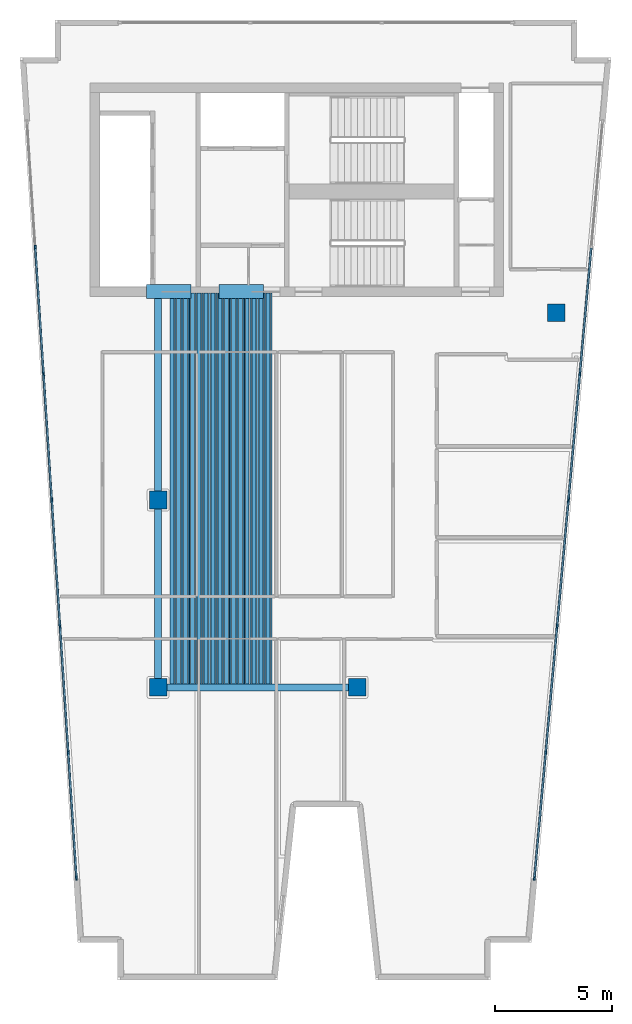
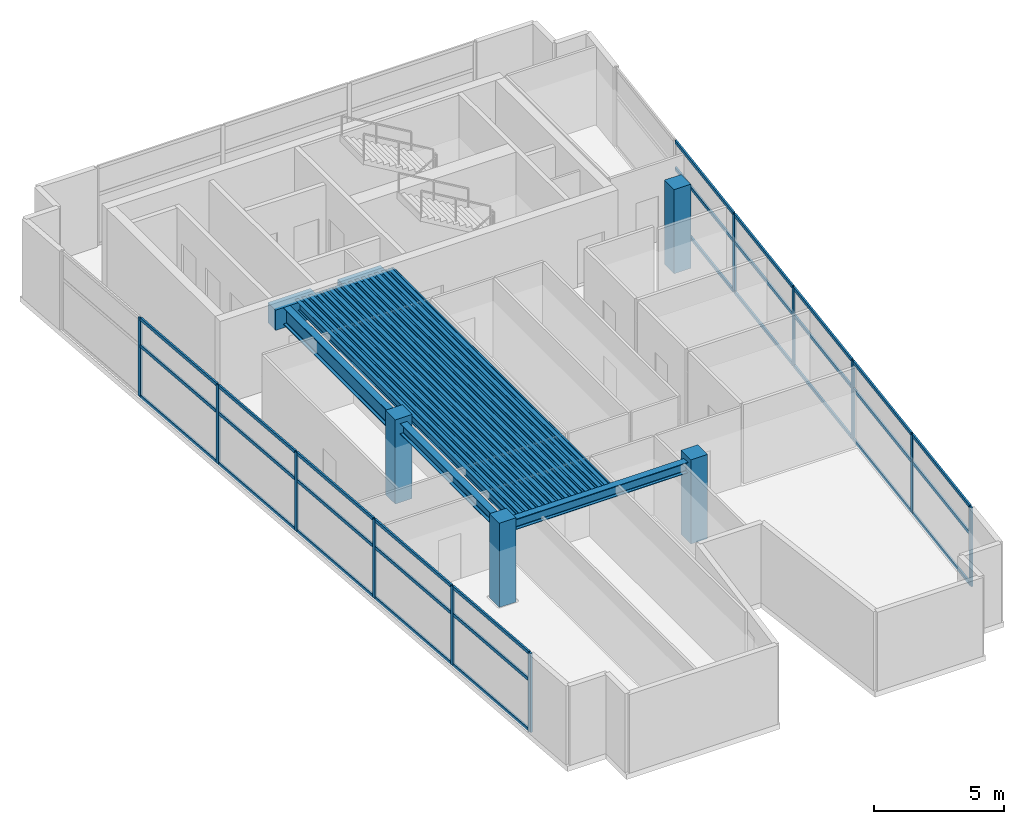
# One storey, part 1 of 7: 41 members, 35 beams, 4 columns, 2 elements without a shape of their own.
"""IFC4 building model written with IfcOpenShell, lengths in metres."""

from ifc_helpers import new_model, si_unit, direction, frame, origin, origin_2d, place, context, subcontext, project, spatial, rectangle, hollow_rectangle, i_section, extrude, material, layer, layer_set, material_profile, profile_set, type_object, element, aggregate, save


model = new_model("IFC4")

# Units and contexts
model_context = context("Model", 3, precision=1e-05, world=origin(), true_north=direction((0.0, 1.0)))
body_context = subcontext(model_context, "Body", "Model", "MODEL_VIEW")
ifc_project = project(units=[si_unit("LENGTHUNIT", "METRE"), si_unit("AREAUNIT", "SQUARE_METRE"), si_unit("VOLUMEUNIT", "CUBIC_METRE"), si_unit("PLANEANGLEUNIT", "RADIAN"), si_unit("MASSUNIT", "GRAM", prefix="KILO")], contexts=[model_context])

# Site, building, storey
site_placement = place(None, origin())
site = spatial("IfcSite", under=ifc_project, at=site_placement, CompositionType="ELEMENT")
building_placement = place(site_placement, origin())
building = spatial("IfcBuilding", under=site, at=building_placement, Name="Caeloran Harvest Quay", CompositionType="ELEMENT")
storey_placement = place(building_placement, frame((0.0, 0.0, 304.10009765625)))
storey = spatial("IfcBuildingStorey", under=building, at=storey_placement, Name="L73", CompositionType="ELEMENT", Elevation=304.10009765625)

# Columns
ifc_material_1 = material(Name="Concrete C60/75", Category="concrete")
ifc_material_profile_1 = material_profile(ifc_material_1, rectangle(XDim=0.75, YDim=0.75, at=origin_2d()), Name="RC 750x750")
ifc_profile_set_1 = profile_set([ifc_material_profile_1], Name="Concrete C60/75")
column_type = type_object("IfcColumnType", Name="COL-MC-5-RC_750x750", PredefinedType="COLUMN", material=ifc_profile_set_1)
for number, where, z_axis, x_axis, name in (
    (1, (8.5, 15.0, 0.0), (0.0, 0.0, 1.0), (1.0, 0.0, 0.0), "L73 Structural Column (8.5, 15.0)"),
    (2, (8.5, 23.0, 0.0), (0.0, 0.0, 1.0), (1.0, 0.0, 0.0), "L73 Structural Column (8.5, 23.0)"),
    (3, (17.0, 15.0, 0.0), (0.0, 0.0, 1.0), (1.0, 0.0, 0.0), "L73 Structural Column (17.0, 15.0)"),
    (4, (25.5, 31.0, 0.0), (0.0, 0.0, 1.0), (1.0, 0.0, 0.0), "L73 Structural Column (25.5, 31.0)"),
):
    element("IfcColumn", number, at=place(storey_placement, frame(where, z_axis=z_axis, x_axis=x_axis)), inside=storey, type_object=column_type, Name=name, PredefinedType="COLUMN", context=body_context, shape_type="SweptSolid", body=[
        extrude(rectangle(XDim=0.75, YDim=0.75, at=origin_2d()), origin(), (0.0, 0.0, 1.0), 3.949951171875),
    ])

# Beams
ifc_material_profile_2 = material_profile(ifc_material_1, rectangle(XDim=0.60009765625, YDim=0.949951171875, at=origin_2d()), Name="RC 600x950")
ifc_profile_set_2 = profile_set([ifc_material_profile_2], Name="Concrete C60/75")
beam_type_1 = type_object("IfcBeamType", Name="BM-CB-2-RC_600x950", PredefinedType="LINTEL", material=ifc_profile_set_2)
for number, where, z_axis, x_axis, name in (
    (5, (8.0, 31.89990234375, 3.224853515625), (1.0, 0.0, 0.0), (0.0, 1.0, 0.0), "L73 Core Coupling Beam 1"),
    (6, (11.10009765625, 31.89990234375, 3.224853515625), (1.0, 0.0, 0.0), (0.0, 1.0, 0.0), "L73 Core Coupling Beam 2"),
):
    element("IfcBeam", number, at=place(storey_placement, frame(where, z_axis=z_axis, x_axis=x_axis)), inside=storey, type_object=beam_type_1, Name=name, PredefinedType="LINTEL", context=body_context, shape_type="SweptSolid", body=[
        extrude(rectangle(XDim=0.60009765625, YDim=0.949951171875, at=origin_2d()), origin(), (0.0, 0.0, 1.0), 1.89990234375),
    ])
ifc_material_2 = material(Name="Steel S355J2", Category="steel")
ifc_material_profile_3 = material_profile(ifc_material_2, i_section(OverallWidth=0.300048828125, OverallDepth=0.800048828125, WebThickness=0.017578125, FlangeThickness=0.032958984375, FilletRadius=0.030029296875, at=origin_2d()), Name="HE 800 B")
ifc_profile_set_3 = profile_set([ifc_material_profile_3], Name="Steel S355J2")
beam_type_2 = type_object("IfcBeamType", Name="BM-PG-1-HE_800_B", PredefinedType="BEAM", material=ifc_profile_set_3)
beam_1_placement = place(storey_placement, frame((8.5, 23.0, 3.2998046875), z_axis=(0.0, 1.0, 0.0), x_axis=(-1.0, 0.0, 0.0)))
element("IfcBeam", 7, at=beam_1_placement, inside=storey, type_object=beam_type_2, Name="L73 Core South Tie Girder X=8.5", PredefinedType="BEAM", context=body_context, shape_type="SweptSolid", body=[
    extrude(i_section(OverallWidth=0.300048828125, OverallDepth=0.800048828125, WebThickness=0.017578125, FlangeThickness=0.032958984375, FilletRadius=0.030029296875, at=origin_2d()), origin(), (0.0, 0.0, 1.0), 8.85009765625),
])
ifc_material_profile_4 = material_profile(ifc_material_2, i_section(OverallWidth=0.300048828125, OverallDepth=0.5, WebThickness=0.014404296875, FlangeThickness=0.028076171875, FilletRadius=0.027099609375, at=origin_2d()), Name="HE 500 B")
ifc_profile_set_4 = profile_set([ifc_material_profile_4], Name="Steel S355J2")
beam_type_3 = type_object("IfcBeamType", Name="BM-PG-4-HE_500_B", PredefinedType="BEAM", material=ifc_profile_set_4)
beam_2_placement = place(storey_placement, frame((8.5, 15.0, 3.449951171875), z_axis=(1.0, 0.0, 0.0), x_axis=(0.0, 1.0, 0.0)))
element("IfcBeam", 8, at=beam_2_placement, inside=storey, type_object=beam_type_3, Name="L73 Primary East-West Girder Y=15.0", PredefinedType="BEAM", context=body_context, shape_type="SweptSolid", body=[
    extrude(i_section(OverallWidth=0.300048828125, OverallDepth=0.5, WebThickness=0.014404296875, FlangeThickness=0.028076171875, FilletRadius=0.027099609375, at=origin_2d()), origin(), (0.0, 0.0, 1.0), 8.5),
])
beam_3_placement = place(storey_placement, frame((8.5, 15.0, 3.449951171875), z_axis=(0.0, 1.0, 0.0), x_axis=(-1.0, 0.0, 0.0)))
element("IfcBeam", 9, at=beam_3_placement, inside=storey, type_object=beam_type_3, Name="L73 Primary North-South Girder X=8.5", PredefinedType="BEAM", context=body_context, shape_type="SweptSolid", body=[
    extrude(i_section(OverallWidth=0.300048828125, OverallDepth=0.5, WebThickness=0.014404296875, FlangeThickness=0.028076171875, FilletRadius=0.027099609375, at=origin_2d()), origin(), (0.0, 0.0, 1.0), 8.0),
])
ifc_material_profile_5 = material_profile(ifc_material_2, i_section(OverallWidth=0.169921875, OverallDepth=0.360107421875, WebThickness=0.008056640625, FlangeThickness=0.0126953125, FilletRadius=0.01806640625, at=origin_2d()), Name="IPE 360")
ifc_profile_set_5 = profile_set([ifc_material_profile_5], Name="Steel S355J2")
beam_type_4 = type_object("IfcBeamType", Name="BM-SB-5-IPE_360", PredefinedType="JOIST", material=ifc_profile_set_5)
for number, where, z_axis, x_axis, name in (
    (10, (9.086181640625, 15.14501953125, 3.52001953125), (0.0, 1.0, 0.0), (-1.0, 0.0, 0.0), "L73 Secondary Composite Joist"),
    (11, (9.37939453125, 15.14501953125, 3.52001953125), (0.0, 1.0, 0.0), (-1.0, 0.0, 0.0), "L73 Secondary Composite Joist"),
    (12, (9.67236328125, 15.14501953125, 3.52001953125), (0.0, 1.0, 0.0), (-1.0, 0.0, 0.0), "L73 Secondary Composite Joist"),
    (13, (9.965576171875, 15.14501953125, 3.52001953125), (0.0, 1.0, 0.0), (-1.0, 0.0, 0.0), "L73 Secondary Composite Joist"),
    (14, (10.258544921875, 15.14501953125, 3.52001953125), (0.0, 1.0, 0.0), (-1.0, 0.0, 0.0), "L73 Secondary Composite Joist"),
    (15, (10.5517578125, 15.14501953125, 3.52001953125), (0.0, 1.0, 0.0), (-1.0, 0.0, 0.0), "L73 Secondary Composite Joist"),
    (16, (10.8447265625, 15.14501953125, 3.52001953125), (0.0, 1.0, 0.0), (-1.0, 0.0, 0.0), "L73 Secondary Composite Joist"),
    (17, (11.137939453125, 15.14501953125, 3.52001953125), (0.0, 1.0, 0.0), (-1.0, 0.0, 0.0), "L73 Secondary Composite Joist"),
    (18, (11.430908203125, 15.14501953125, 3.52001953125), (0.0, 1.0, 0.0), (-1.0, 0.0, 0.0), "L73 Secondary Composite Joist"),
    (19, (11.72412109375, 15.14501953125, 3.52001953125), (0.0, 1.0, 0.0), (-1.0, 0.0, 0.0), "L73 Secondary Composite Joist"),
    (20, (12.01708984375, 15.14501953125, 3.52001953125), (0.0, 1.0, 0.0), (-1.0, 0.0, 0.0), "L73 Secondary Composite Joist"),
    (21, (12.310302734375, 15.14501953125, 3.52001953125), (0.0, 1.0, 0.0), (-1.0, 0.0, 0.0), "L73 Secondary Composite Joist"),
    (22, (12.603515625, 15.14501953125, 3.52001953125), (0.0, 1.0, 0.0), (-1.0, 0.0, 0.0), "L73 Secondary Composite Joist"),
    (23, (12.896484375, 15.14501953125, 3.52001953125), (0.0, 1.0, 0.0), (-1.0, 0.0, 0.0), "L73 Secondary Composite Joist"),
    (24, (13.189697265625, 15.14501953125, 3.52001953125), (0.0, 1.0, 0.0), (-1.0, 0.0, 0.0), "L73 Secondary Composite Joist"),
):
    element("IfcBeam", number, at=place(storey_placement, frame(where, z_axis=z_axis, x_axis=x_axis)), inside=storey, type_object=beam_type_4, Name=name, PredefinedType="JOIST", context=body_context, shape_type="SweptSolid", body=[
        extrude(i_section(OverallWidth=0.169921875, OverallDepth=0.360107421875, WebThickness=0.008056640625, FlangeThickness=0.0126953125, FilletRadius=0.01806640625, at=origin_2d()), origin(), (0.0, 0.0, 1.0), 16.705078125),
    ])
ifc_material_profile_6 = material_profile(ifc_material_2, hollow_rectangle(XDim=0.080078125, YDim=0.199951171875, WallThickness=0.006103515625, InnerFilletRadius=0.006103515625, OuterFilletRadius=0.009033203125, at=origin_2d()), Name="RHS 200x80x6")
ifc_profile_set_6 = profile_set([ifc_material_profile_6], Name="Steel S355J2")
beam_type_5 = type_object("IfcBeamType", Name="BM-SB-7-RHS_200x80x6", PredefinedType="JOIST", material=ifc_profile_set_6)
for number, where, z_axis, x_axis, name in (
    (25, (9.23291015625, 15.14501953125, 3.599853515625), (0.0, 1.0, 0.0), (-1.0, 0.0, 0.0), "L73 Secondary Composite Joist"),
    (26, (9.52587890625, 15.14501953125, 3.599853515625), (0.0, 1.0, 0.0), (-1.0, 0.0, 0.0), "L73 Secondary Composite Joist"),
    (27, (9.819091796875, 15.14501953125, 3.599853515625), (0.0, 1.0, 0.0), (-1.0, 0.0, 0.0), "L73 Secondary Composite Joist"),
    (28, (10.112060546875, 15.14501953125, 3.599853515625), (0.0, 1.0, 0.0), (-1.0, 0.0, 0.0), "L73 Secondary Composite Joist"),
    (29, (10.4052734375, 15.14501953125, 3.599853515625), (0.0, 1.0, 0.0), (-1.0, 0.0, 0.0), "L73 Secondary Composite Joist"),
    (30, (10.6982421875, 15.14501953125, 3.599853515625), (0.0, 1.0, 0.0), (-1.0, 0.0, 0.0), "L73 Secondary Composite Joist"),
    (31, (10.991455078125, 15.14501953125, 3.599853515625), (0.0, 1.0, 0.0), (-1.0, 0.0, 0.0), "L73 Secondary Composite Joist"),
    (32, (11.284423828125, 15.14501953125, 3.599853515625), (0.0, 1.0, 0.0), (-1.0, 0.0, 0.0), "L73 Secondary Composite Joist"),
    (33, (11.57763671875, 15.14501953125, 3.599853515625), (0.0, 1.0, 0.0), (-1.0, 0.0, 0.0), "L73 Secondary Composite Joist"),
    (34, (11.87060546875, 15.14501953125, 3.599853515625), (0.0, 1.0, 0.0), (-1.0, 0.0, 0.0), "L73 Secondary Composite Joist"),
    (35, (12.163818359375, 15.14501953125, 3.599853515625), (0.0, 1.0, 0.0), (-1.0, 0.0, 0.0), "L73 Secondary Composite Joist"),
    (36, (12.456787109375, 15.14501953125, 3.599853515625), (0.0, 1.0, 0.0), (-1.0, 0.0, 0.0), "L73 Secondary Composite Joist"),
    (37, (12.75, 15.14501953125, 3.599853515625), (0.0, 1.0, 0.0), (-1.0, 0.0, 0.0), "L73 Secondary Composite Joist"),
    (38, (13.043212890625, 15.14501953125, 3.599853515625), (0.0, 1.0, 0.0), (-1.0, 0.0, 0.0), "L73 Secondary Composite Joist"),
    (39, (13.336181640625, 15.14501953125, 3.599853515625), (0.0, 1.0, 0.0), (-1.0, 0.0, 0.0), "L73 Secondary Composite Joist"),
):
    element("IfcBeam", number, at=place(storey_placement, frame(where, z_axis=z_axis, x_axis=x_axis)), inside=storey, type_object=beam_type_5, Name=name, PredefinedType="JOIST", context=body_context, shape_type="SweptSolid", body=[
        extrude(hollow_rectangle(XDim=0.080078125, YDim=0.199951171875, WallThickness=0.006103515625, InnerFilletRadius=0.006103515625, OuterFilletRadius=0.009033203125, at=origin_2d()), origin(), (0.0, 0.0, 1.0), 16.705078125),
    ])

# Curtain wall, members
ifc_material_3 = material(Name="Aluminium 6063-T6 and Low-E Glazing", Category="aluminium")
ifc_layer = layer(ifc_material_3, 0.239990234375, Name="Aluminium 6063-T6 and Low-E Glazing")
ifc_layer_set = layer_set([ifc_layer], Name="Aluminium 6063-T6 and Low-E Glazing")
curtain_wall_type = type_object("IfcCurtainWallType", Name="CW-SYS-CW-7", PredefinedType="USERDEFINED", material=ifc_layer_set)
curtain_wall_1_placement = place(storey_placement, origin())
curtain_wall_1 = element("IfcCurtainWall", 40, at=curtain_wall_1_placement, inside=storey, type_object=curtain_wall_type, Name="L73 Unitised Curtain Wall CW-7 Run 3", ObjectType="CURTAIN_WALL", PredefinedType="USERDEFINED")
ifc_material_4 = material(Name="Aluminium 6063-T6", Category="aluminium")
ifc_material_profile_7 = material_profile(ifc_material_4, rectangle(XDim=0.080078125, YDim=0.179931640625, at=origin_2d()), Name="CW-MULLION-180")
ifc_profile_set_7 = profile_set([ifc_material_profile_7], Name="Aluminium 6063-T6")
member_type_1 = type_object("IfcMemberType", Name="CW-MULLION-180", PredefinedType="MULLION", material=ifc_profile_set_7)
member_1_placement = place(storey_placement, frame((5.013427734375, 6.8544921875, 0.0), z_axis=(0.0, 0.0, 1.0), x_axis=(-0.997874401106, -0.065166552901, 0.0)))
member_1 = element("IfcMember", 41, at=member_1_placement, type_object=member_type_1, Name="CW-7 mullion 1", PredefinedType="MULLION", context=body_context, shape_type="SweptSolid", body=[
    extrude(rectangle(XDim=0.080078125, YDim=0.179931640625, at=origin_2d()), origin(), (0.0, 0.0, 1.0), 3.699951171875),
])
member_2_placement = place(storey_placement, frame((4.66357421875, 12.209716796875, 0.0), z_axis=(0.0, 0.0, 1.0), x_axis=(-0.997874401106, -0.065166552901, 0.0)))
member_2 = element("IfcMember", 42, at=member_2_placement, type_object=member_type_1, Name="CW-7 mullion 2", PredefinedType="MULLION", context=body_context, shape_type="SweptSolid", body=[
    extrude(rectangle(XDim=0.080078125, YDim=0.179931640625, at=origin_2d()), origin(), (0.0, 0.0, 1.0), 3.699951171875),
])
member_3_placement = place(storey_placement, frame((4.311279296875, 17.604736328125, 0.0), z_axis=(0.0, 0.0, 1.0), x_axis=(-0.997874401106, -0.065166552901, 0.0)))
member_3 = element("IfcMember", 43, at=member_3_placement, type_object=member_type_1, Name="CW-7 mullion 3", PredefinedType="MULLION", context=body_context, shape_type="SweptSolid", body=[
    extrude(rectangle(XDim=0.080078125, YDim=0.179931640625, at=origin_2d()), origin(), (0.0, 0.0, 1.0), 3.699951171875),
])
member_4_placement = place(storey_placement, frame((3.958984375, 23.0, 0.0), z_axis=(0.0, 0.0, 1.0), x_axis=(-0.997874401106, -0.065166552901, 0.0)))
member_4 = element("IfcMember", 44, at=member_4_placement, type_object=member_type_1, Name="CW-7 mullion 4", PredefinedType="MULLION", context=body_context, shape_type="SweptSolid", body=[
    extrude(rectangle(XDim=0.080078125, YDim=0.179931640625, at=origin_2d()), origin(), (0.0, 0.0, 1.0), 3.699951171875),
])
member_5_placement = place(storey_placement, frame((3.606689453125, 28.395263671875, 0.0), z_axis=(0.0, 0.0, 1.0), x_axis=(-0.997874401106, -0.065166552901, 0.0)))
member_5 = element("IfcMember", 45, at=member_5_placement, type_object=member_type_1, Name="CW-7 mullion 5", PredefinedType="MULLION", context=body_context, shape_type="SweptSolid", body=[
    extrude(rectangle(XDim=0.080078125, YDim=0.179931640625, at=origin_2d()), origin(), (0.0, 0.0, 1.0), 3.699951171875),
])
member_6_placement = place(storey_placement, frame((3.25439453125, 33.790283203125, 0.0), z_axis=(0.0, 0.0, 1.0), x_axis=(-0.997874401106, -0.065166552901, 0.0)))
member_6 = element("IfcMember", 46, at=member_6_placement, type_object=member_type_1, Name="CW-7 mullion 6", PredefinedType="MULLION", context=body_context, shape_type="SweptSolid", body=[
    extrude(rectangle(XDim=0.080078125, YDim=0.179931640625, at=origin_2d()), origin(), (0.0, 0.0, 1.0), 3.699951171875),
])

curtain_wall_2_placement = place(storey_placement, origin())
curtain_wall_2 = element("IfcCurtainWall", 47, at=curtain_wall_2_placement, inside=storey, type_object=curtain_wall_type, Name="L73 Unitised Curtain Wall CW-7 Run 9", ObjectType="CURTAIN_WALL", PredefinedType="USERDEFINED")
member_7_placement = place(storey_placement, frame((26.517578125, 28.396728515625, 0.0), z_axis=(0.0, 0.0, 1.0), x_axis=(0.995957918918, -0.089821065146, 0.0)))
member_7 = element("IfcMember", 48, at=member_7_placement, type_object=member_type_1, Name="CW-7 mullion 3", PredefinedType="MULLION", context=body_context, shape_type="SweptSolid", body=[
    extrude(rectangle(XDim=0.080078125, YDim=0.179931640625, at=origin_2d()), origin(), (0.0, 0.0, 1.0), 3.699951171875),
])
member_8_placement = place(storey_placement, frame((26.03076171875, 23.0, 0.0), z_axis=(0.0, 0.0, 1.0), x_axis=(0.995957918918, -0.089821065146, 0.0)))
member_8 = element("IfcMember", 49, at=member_8_placement, type_object=member_type_1, Name="CW-7 mullion 4", PredefinedType="MULLION", context=body_context, shape_type="SweptSolid", body=[
    extrude(rectangle(XDim=0.080078125, YDim=0.179931640625, at=origin_2d()), origin(), (0.0, 0.0, 1.0), 3.699951171875),
])
member_9_placement = place(storey_placement, frame((25.5439453125, 17.603271484375, 0.0), z_axis=(0.0, 0.0, 1.0), x_axis=(0.995957918918, -0.089821065146, 0.0)))
member_9 = element("IfcMember", 50, at=member_9_placement, type_object=member_type_1, Name="CW-7 mullion 5", PredefinedType="MULLION", context=body_context, shape_type="SweptSolid", body=[
    extrude(rectangle(XDim=0.080078125, YDim=0.179931640625, at=origin_2d()), origin(), (0.0, 0.0, 1.0), 3.699951171875),
])
member_10_placement = place(storey_placement, frame((25.057373046875, 12.206298828125, 0.0), z_axis=(0.0, 0.0, 1.0), x_axis=(0.995957918918, -0.089821065146, 0.0)))
member_10 = element("IfcMember", 51, at=member_10_placement, type_object=member_type_1, Name="CW-7 mullion 6", PredefinedType="MULLION", context=body_context, shape_type="SweptSolid", body=[
    extrude(rectangle(XDim=0.080078125, YDim=0.179931640625, at=origin_2d()), origin(), (0.0, 0.0, 1.0), 3.699951171875),
])
member_11_placement = place(storey_placement, frame((24.57421875, 6.849365234375, 0.0), z_axis=(0.0, 0.0, 1.0), x_axis=(0.995957918918, -0.089821065146, 0.0)))
member_11 = element("IfcMember", 52, at=member_11_placement, type_object=member_type_1, Name="CW-7 mullion 7", PredefinedType="MULLION", context=body_context, shape_type="SweptSolid", body=[
    extrude(rectangle(XDim=0.080078125, YDim=0.179931640625, at=origin_2d()), origin(), (0.0, 0.0, 1.0), 3.699951171875),
])

# Member
ifc_material_profile_8 = material_profile(ifc_material_4, rectangle(XDim=0.080078125, YDim=0.14990234375, at=origin_2d()), Name="CW-TRANSOM-150")
ifc_profile_set_8 = profile_set([ifc_material_profile_8], Name="Aluminium 6063-T6")
member_type_2 = type_object("IfcMemberType", Name="CW-TRANSOM-150", PredefinedType="USERDEFINED", material=ifc_profile_set_8)
member_12_placement = place(storey_placement, frame((5.0107421875, 6.894287109375, 0.039794921875), z_axis=(-0.065161110765, 0.997874756492, 0.0), x_axis=(-0.997874756492, -0.065161110765, 0.0)))
member_12 = element("IfcMember", 53, at=member_12_placement, type_object=member_type_2, Name="CW-7 transom 1.1", ObjectType="TRANSOM", PredefinedType="USERDEFINED", context=body_context, shape_type="SweptSolid", body=[
    extrude(rectangle(XDim=0.080078125, YDim=0.14990234375, at=origin_2d()), origin(), (0.0, 0.0, 1.0), 5.28662109375),
])

member_13_placement = place(storey_placement, frame((5.0107421875, 6.894287109375, 2.39990234375), z_axis=(-0.065161110765, 0.997874756492, 0.0), x_axis=(-0.997874756492, -0.065161110765, 0.0)))
member_13 = element("IfcMember", 54, at=member_13_placement, type_object=member_type_2, Name="CW-7 transom 1.2", ObjectType="TRANSOM", PredefinedType="USERDEFINED", context=body_context, shape_type="SweptSolid", body=[
    extrude(rectangle(XDim=0.080078125, YDim=0.14990234375, at=origin_2d()), origin(), (0.0, 0.0, 1.0), 5.28662109375),
])

member_14_placement = place(storey_placement, frame((5.0107421875, 6.894287109375, 3.659912109375), z_axis=(-0.065161110765, 0.997874756492, 0.0), x_axis=(-0.997874756492, -0.065161110765, 0.0)))
member_14 = element("IfcMember", 55, at=member_14_placement, type_object=member_type_2, Name="CW-7 transom 1.3", ObjectType="TRANSOM", PredefinedType="USERDEFINED", context=body_context, shape_type="SweptSolid", body=[
    extrude(rectangle(XDim=0.080078125, YDim=0.14990234375, at=origin_2d()), origin(), (0.0, 0.0, 1.0), 5.28662109375),
])

member_15_placement = place(storey_placement, frame((4.6611328125, 12.24951171875, 0.039794921875), z_axis=(-0.065174383207, 0.997873889714, 0.0), x_axis=(-0.997873889714, -0.065174383207, 0.0)))
member_15 = element("IfcMember", 56, at=member_15_placement, type_object=member_type_2, Name="CW-7 transom 2.1", ObjectType="TRANSOM", PredefinedType="USERDEFINED", context=body_context, shape_type="SweptSolid", body=[
    extrude(rectangle(XDim=0.080078125, YDim=0.14990234375, at=origin_2d()), origin(), (0.0, 0.0, 1.0), 5.32666015625),
])

member_16_placement = place(storey_placement, frame((4.6611328125, 12.24951171875, 2.39990234375), z_axis=(-0.065174383207, 0.997873889714, 0.0), x_axis=(-0.997873889714, -0.065174383207, 0.0)))
member_16 = element("IfcMember", 57, at=member_16_placement, type_object=member_type_2, Name="CW-7 transom 2.2", ObjectType="TRANSOM", PredefinedType="USERDEFINED", context=body_context, shape_type="SweptSolid", body=[
    extrude(rectangle(XDim=0.080078125, YDim=0.14990234375, at=origin_2d()), origin(), (0.0, 0.0, 1.0), 5.32666015625),
])

member_17_placement = place(storey_placement, frame((4.6611328125, 12.24951171875, 3.659912109375), z_axis=(-0.065174383207, 0.997873889714, 0.0), x_axis=(-0.997873889714, -0.065174383207, 0.0)))
member_17 = element("IfcMember", 58, at=member_17_placement, type_object=member_type_2, Name="CW-7 transom 2.3", ObjectType="TRANSOM", PredefinedType="USERDEFINED", context=body_context, shape_type="SweptSolid", body=[
    extrude(rectangle(XDim=0.080078125, YDim=0.14990234375, at=origin_2d()), origin(), (0.0, 0.0, 1.0), 5.32666015625),
])

member_18_placement = place(storey_placement, frame((4.308837890625, 17.644775390625, 0.039794921875), z_axis=(-0.065174383207, 0.997873889714, 0.0), x_axis=(-0.997873889714, -0.065174383207, 0.0)))
member_18 = element("IfcMember", 59, at=member_18_placement, type_object=member_type_2, Name="CW-7 transom 3.1", ObjectType="TRANSOM", PredefinedType="USERDEFINED", context=body_context, shape_type="SweptSolid", body=[
    extrude(rectangle(XDim=0.080078125, YDim=0.14990234375, at=origin_2d()), origin(), (0.0, 0.0, 1.0), 5.32666015625),
])

member_19_placement = place(storey_placement, frame((4.308837890625, 17.644775390625, 2.39990234375), z_axis=(-0.065174383207, 0.997873889714, 0.0), x_axis=(-0.997873889714, -0.065174383207, 0.0)))
member_19 = element("IfcMember", 60, at=member_19_placement, type_object=member_type_2, Name="CW-7 transom 3.2", ObjectType="TRANSOM", PredefinedType="USERDEFINED", context=body_context, shape_type="SweptSolid", body=[
    extrude(rectangle(XDim=0.080078125, YDim=0.14990234375, at=origin_2d()), origin(), (0.0, 0.0, 1.0), 5.32666015625),
])

member_20_placement = place(storey_placement, frame((4.308837890625, 17.644775390625, 3.659912109375), z_axis=(-0.065174383207, 0.997873889714, 0.0), x_axis=(-0.997873889714, -0.065174383207, 0.0)))
member_20 = element("IfcMember", 61, at=member_20_placement, type_object=member_type_2, Name="CW-7 transom 3.3", ObjectType="TRANSOM", PredefinedType="USERDEFINED", context=body_context, shape_type="SweptSolid", body=[
    extrude(rectangle(XDim=0.080078125, YDim=0.14990234375, at=origin_2d()), origin(), (0.0, 0.0, 1.0), 5.32666015625),
])

member_21_placement = place(storey_placement, frame((3.956298828125, 23.039794921875, 0.039794921875), z_axis=(-0.065128744787, 0.99787686946, 0.0), x_axis=(-0.99787686946, -0.065128744787, 0.0)))
member_21 = element("IfcMember", 62, at=member_21_placement, type_object=member_type_2, Name="CW-7 transom 4.1", ObjectType="TRANSOM", PredefinedType="USERDEFINED", context=body_context, shape_type="SweptSolid", body=[
    extrude(rectangle(XDim=0.080078125, YDim=0.14990234375, at=origin_2d()), origin(), (0.0, 0.0, 1.0), 5.32666015625),
])

member_22_placement = place(storey_placement, frame((3.956298828125, 23.039794921875, 2.39990234375), z_axis=(-0.065128744787, 0.99787686946, 0.0), x_axis=(-0.99787686946, -0.065128744787, 0.0)))
member_22 = element("IfcMember", 63, at=member_22_placement, type_object=member_type_2, Name="CW-7 transom 4.2", ObjectType="TRANSOM", PredefinedType="USERDEFINED", context=body_context, shape_type="SweptSolid", body=[
    extrude(rectangle(XDim=0.080078125, YDim=0.14990234375, at=origin_2d()), origin(), (0.0, 0.0, 1.0), 5.32666015625),
])

member_23_placement = place(storey_placement, frame((3.956298828125, 23.039794921875, 3.659912109375), z_axis=(-0.065128744787, 0.99787686946, 0.0), x_axis=(-0.99787686946, -0.065128744787, 0.0)))
member_23 = element("IfcMember", 64, at=member_23_placement, type_object=member_type_2, Name="CW-7 transom 4.3", ObjectType="TRANSOM", PredefinedType="USERDEFINED", context=body_context, shape_type="SweptSolid", body=[
    extrude(rectangle(XDim=0.080078125, YDim=0.14990234375, at=origin_2d()), origin(), (0.0, 0.0, 1.0), 5.32666015625),
])

member_24_placement = place(storey_placement, frame((3.60400390625, 28.43505859375, 0.039794921875), z_axis=(-0.065174383207, 0.997873889714, 0.0), x_axis=(-0.997873889714, -0.065174383207, 0.0)))
member_24 = element("IfcMember", 65, at=member_24_placement, type_object=member_type_2, Name="CW-7 transom 5.1", ObjectType="TRANSOM", PredefinedType="USERDEFINED", context=body_context, shape_type="SweptSolid", body=[
    extrude(rectangle(XDim=0.080078125, YDim=0.14990234375, at=origin_2d()), origin(), (0.0, 0.0, 1.0), 5.32666015625),
])

member_25_placement = place(storey_placement, frame((3.60400390625, 28.43505859375, 2.39990234375), z_axis=(-0.065174383207, 0.997873889714, 0.0), x_axis=(-0.997873889714, -0.065174383207, 0.0)))
member_25 = element("IfcMember", 66, at=member_25_placement, type_object=member_type_2, Name="CW-7 transom 5.2", ObjectType="TRANSOM", PredefinedType="USERDEFINED", context=body_context, shape_type="SweptSolid", body=[
    extrude(rectangle(XDim=0.080078125, YDim=0.14990234375, at=origin_2d()), origin(), (0.0, 0.0, 1.0), 5.32666015625),
])

member_26_placement = place(storey_placement, frame((3.60400390625, 28.43505859375, 3.659912109375), z_axis=(-0.065174383207, 0.997873889714, 0.0), x_axis=(-0.997873889714, -0.065174383207, 0.0)))
member_26 = element("IfcMember", 67, at=member_26_placement, type_object=member_type_2, Name="CW-7 transom 5.3", ObjectType="TRANSOM", PredefinedType="USERDEFINED", context=body_context, shape_type="SweptSolid", body=[
    extrude(rectangle(XDim=0.080078125, YDim=0.14990234375, at=origin_2d()), origin(), (0.0, 0.0, 1.0), 5.32666015625),
])

aggregate(curtain_wall_1, [member_1, member_2, member_3, member_4, member_5, member_6, member_12, member_13, member_14, member_15, member_16, member_17, member_18, member_19, member_20, member_21, member_22, member_23, member_24, member_25, member_26])

member_27_placement = place(storey_placement, frame((27.00048828125, 33.75390625, 0.039794921875), z_axis=(-0.089814159323, -0.9959585417, 0.0), x_axis=(0.9959585417, -0.089814159323, 0.0)))
member_27 = element("IfcMember", 68, at=member_27_placement, type_object=member_type_2, Name="CW-7 transom 2.1", ObjectType="TRANSOM", PredefinedType="USERDEFINED", context=body_context, shape_type="SweptSolid", body=[
    extrude(rectangle(XDim=0.080078125, YDim=0.14990234375, at=origin_2d()), origin(), (0.0, 0.0, 1.0), 5.338623046875),
])

member_28_placement = place(storey_placement, frame((27.00048828125, 33.75390625, 2.39990234375), z_axis=(-0.089814159323, -0.9959585417, 0.0), x_axis=(0.9959585417, -0.089814159323, 0.0)))
member_28 = element("IfcMember", 69, at=member_28_placement, type_object=member_type_2, Name="CW-7 transom 2.2", ObjectType="TRANSOM", PredefinedType="USERDEFINED", context=body_context, shape_type="SweptSolid", body=[
    extrude(rectangle(XDim=0.080078125, YDim=0.14990234375, at=origin_2d()), origin(), (0.0, 0.0, 1.0), 5.338623046875),
])

member_29_placement = place(storey_placement, frame((27.00048828125, 33.75390625, 3.659912109375), z_axis=(-0.089814159323, -0.9959585417, 0.0), x_axis=(0.9959585417, -0.089814159323, 0.0)))
member_29 = element("IfcMember", 70, at=member_29_placement, type_object=member_type_2, Name="CW-7 transom 2.3", ObjectType="TRANSOM", PredefinedType="USERDEFINED", context=body_context, shape_type="SweptSolid", body=[
    extrude(rectangle(XDim=0.080078125, YDim=0.14990234375, at=origin_2d()), origin(), (0.0, 0.0, 1.0), 5.338623046875),
])

member_30_placement = place(storey_placement, frame((26.513916015625, 28.35693359375, 0.039794921875), z_axis=(-0.089814159323, -0.9959585417, 0.0), x_axis=(0.9959585417, -0.089814159323, 0.0)))
member_30 = element("IfcMember", 71, at=member_30_placement, type_object=member_type_2, Name="CW-7 transom 3.1", ObjectType="TRANSOM", PredefinedType="USERDEFINED", context=body_context, shape_type="SweptSolid", body=[
    extrude(rectangle(XDim=0.080078125, YDim=0.14990234375, at=origin_2d()), origin(), (0.0, 0.0, 1.0), 5.338623046875),
])

member_31_placement = place(storey_placement, frame((26.513916015625, 28.35693359375, 2.39990234375), z_axis=(-0.089814159323, -0.9959585417, 0.0), x_axis=(0.9959585417, -0.089814159323, 0.0)))
member_31 = element("IfcMember", 72, at=member_31_placement, type_object=member_type_2, Name="CW-7 transom 3.2", ObjectType="TRANSOM", PredefinedType="USERDEFINED", context=body_context, shape_type="SweptSolid", body=[
    extrude(rectangle(XDim=0.080078125, YDim=0.14990234375, at=origin_2d()), origin(), (0.0, 0.0, 1.0), 5.338623046875),
])

member_32_placement = place(storey_placement, frame((26.513916015625, 28.35693359375, 3.659912109375), z_axis=(-0.089814159323, -0.9959585417, 0.0), x_axis=(0.9959585417, -0.089814159323, 0.0)))
member_32 = element("IfcMember", 73, at=member_32_placement, type_object=member_type_2, Name="CW-7 transom 3.3", ObjectType="TRANSOM", PredefinedType="USERDEFINED", context=body_context, shape_type="SweptSolid", body=[
    extrude(rectangle(XDim=0.080078125, YDim=0.14990234375, at=origin_2d()), origin(), (0.0, 0.0, 1.0), 5.338623046875),
])

member_33_placement = place(storey_placement, frame((26.027099609375, 22.960205078125, 0.039794921875), z_axis=(-0.089814159323, -0.9959585417, 0.0), x_axis=(0.9959585417, -0.089814159323, 0.0)))
member_33 = element("IfcMember", 74, at=member_33_placement, type_object=member_type_2, Name="CW-7 transom 4.1", ObjectType="TRANSOM", PredefinedType="USERDEFINED", context=body_context, shape_type="SweptSolid", body=[
    extrude(rectangle(XDim=0.080078125, YDim=0.14990234375, at=origin_2d()), origin(), (0.0, 0.0, 1.0), 5.338623046875),
])

member_34_placement = place(storey_placement, frame((26.027099609375, 22.960205078125, 2.39990234375), z_axis=(-0.089814159323, -0.9959585417, 0.0), x_axis=(0.9959585417, -0.089814159323, 0.0)))
member_34 = element("IfcMember", 75, at=member_34_placement, type_object=member_type_2, Name="CW-7 transom 4.2", ObjectType="TRANSOM", PredefinedType="USERDEFINED", context=body_context, shape_type="SweptSolid", body=[
    extrude(rectangle(XDim=0.080078125, YDim=0.14990234375, at=origin_2d()), origin(), (0.0, 0.0, 1.0), 5.338623046875),
])

member_35_placement = place(storey_placement, frame((26.027099609375, 22.960205078125, 3.659912109375), z_axis=(-0.089814159323, -0.9959585417, 0.0), x_axis=(0.9959585417, -0.089814159323, 0.0)))
member_35 = element("IfcMember", 76, at=member_35_placement, type_object=member_type_2, Name="CW-7 transom 4.3", ObjectType="TRANSOM", PredefinedType="USERDEFINED", context=body_context, shape_type="SweptSolid", body=[
    extrude(rectangle(XDim=0.080078125, YDim=0.14990234375, at=origin_2d()), origin(), (0.0, 0.0, 1.0), 5.338623046875),
])

member_36_placement = place(storey_placement, frame((25.54052734375, 17.563232421875, 0.039794921875), z_axis=(-0.089859520381, -0.995954450061, 0.0), x_axis=(0.995954450061, -0.089859520381, 0.0)))
member_36 = element("IfcMember", 77, at=member_36_placement, type_object=member_type_2, Name="CW-7 transom 5.1", ObjectType="TRANSOM", PredefinedType="USERDEFINED", context=body_context, shape_type="SweptSolid", body=[
    extrude(rectangle(XDim=0.080078125, YDim=0.14990234375, at=origin_2d()), origin(), (0.0, 0.0, 1.0), 5.338623046875),
])

member_37_placement = place(storey_placement, frame((25.54052734375, 17.563232421875, 2.39990234375), z_axis=(-0.089859520381, -0.995954450061, 0.0), x_axis=(0.995954450061, -0.089859520381, 0.0)))
member_37 = element("IfcMember", 78, at=member_37_placement, type_object=member_type_2, Name="CW-7 transom 5.2", ObjectType="TRANSOM", PredefinedType="USERDEFINED", context=body_context, shape_type="SweptSolid", body=[
    extrude(rectangle(XDim=0.080078125, YDim=0.14990234375, at=origin_2d()), origin(), (0.0, 0.0, 1.0), 5.338623046875),
])

member_38_placement = place(storey_placement, frame((25.54052734375, 17.563232421875, 3.659912109375), z_axis=(-0.089859520381, -0.995954450061, 0.0), x_axis=(0.995954450061, -0.089859520381, 0.0)))
member_38 = element("IfcMember", 79, at=member_38_placement, type_object=member_type_2, Name="CW-7 transom 5.3", ObjectType="TRANSOM", PredefinedType="USERDEFINED", context=body_context, shape_type="SweptSolid", body=[
    extrude(rectangle(XDim=0.080078125, YDim=0.14990234375, at=origin_2d()), origin(), (0.0, 0.0, 1.0), 5.338623046875),
])

member_39_placement = place(storey_placement, frame((25.0537109375, 12.16650390625, 0.039794921875), z_axis=(-0.089800407778, -0.995959781699, 0.0), x_axis=(0.995959781699, -0.089800407778, 0.0)))
member_39 = element("IfcMember", 80, at=member_39_placement, type_object=member_type_2, Name="CW-7 transom 6.1", ObjectType="TRANSOM", PredefinedType="USERDEFINED", context=body_context, shape_type="SweptSolid", body=[
    extrude(rectangle(XDim=0.080078125, YDim=0.14990234375, at=origin_2d()), origin(), (0.0, 0.0, 1.0), 5.298828125),
])

member_40_placement = place(storey_placement, frame((25.0537109375, 12.16650390625, 2.39990234375), z_axis=(-0.089800407778, -0.995959781699, 0.0), x_axis=(0.995959781699, -0.089800407778, 0.0)))
member_40 = element("IfcMember", 81, at=member_40_placement, type_object=member_type_2, Name="CW-7 transom 6.2", ObjectType="TRANSOM", PredefinedType="USERDEFINED", context=body_context, shape_type="SweptSolid", body=[
    extrude(rectangle(XDim=0.080078125, YDim=0.14990234375, at=origin_2d()), origin(), (0.0, 0.0, 1.0), 5.298828125),
])

member_41_placement = place(storey_placement, frame((25.0537109375, 12.16650390625, 3.659912109375), z_axis=(-0.089800407778, -0.995959781699, 0.0), x_axis=(0.995959781699, -0.089800407778, 0.0)))
member_41 = element("IfcMember", 82, at=member_41_placement, type_object=member_type_2, Name="CW-7 transom 6.3", ObjectType="TRANSOM", PredefinedType="USERDEFINED", context=body_context, shape_type="SweptSolid", body=[
    extrude(rectangle(XDim=0.080078125, YDim=0.14990234375, at=origin_2d()), origin(), (0.0, 0.0, 1.0), 5.298828125),
])

aggregate(curtain_wall_2, [member_7, member_8, member_9, member_10, member_11, member_27, member_28, member_29, member_30, member_31, member_32, member_33, member_34, member_35, member_36, member_37, member_38, member_39, member_40, member_41])

save(model, "model.ifc")
